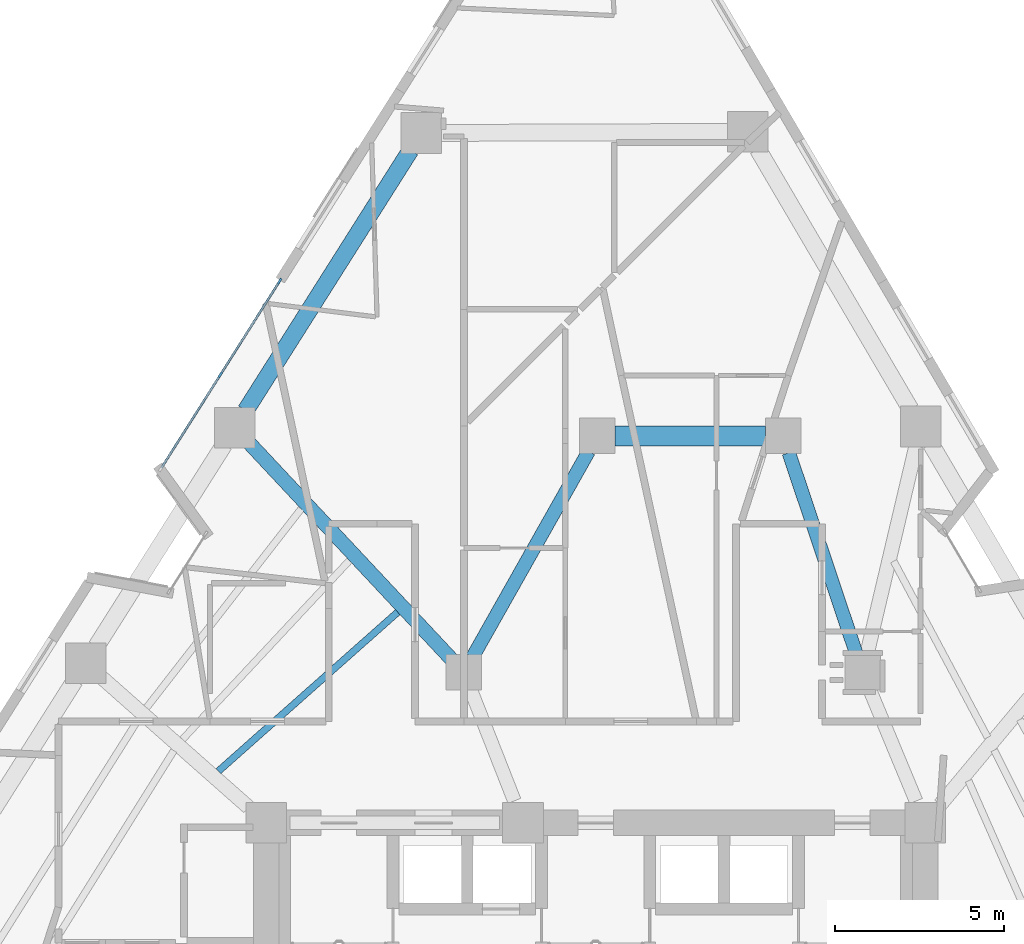
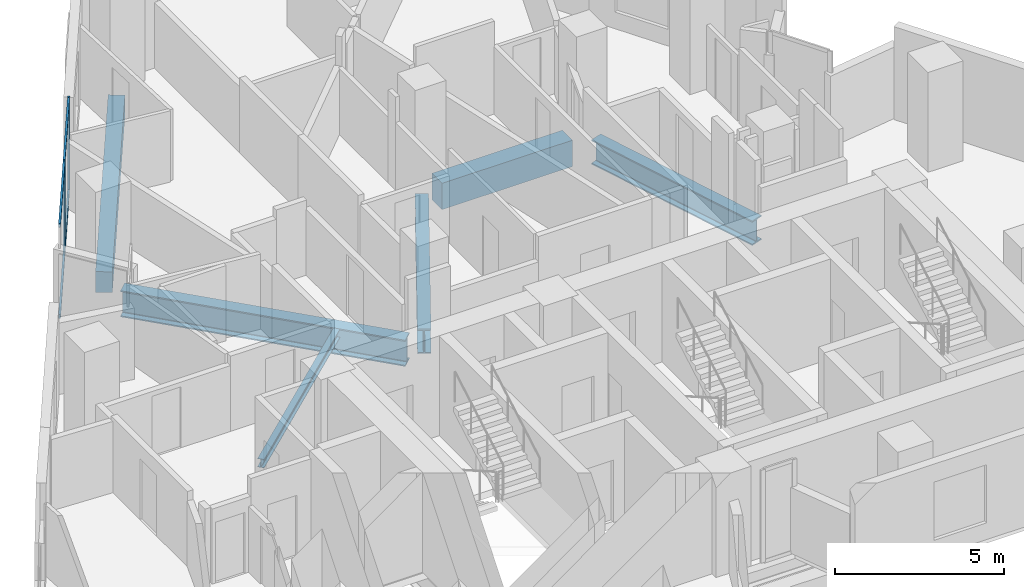
# One storey, part 3 of 12: 6 beams, 6 members, 1 element without a shape of its own.
"""IFC4 building model written with IfcOpenShell, lengths in metres."""

from ifc_helpers import new_model, si_unit, direction, frame, origin, origin_2d, place, context, subcontext, project, spatial, rectangle, i_section, extrude, material, layer, layer_set, material_profile, profile_set, type_object, element, aggregate, save


model = new_model("IFC4")

# Units and contexts
model_context = context("Model", 3, precision=1e-05, world=origin(), true_north=direction((0.0, 1.0)))
body_context = subcontext(model_context, "Body", "Model", "MODEL_VIEW")
ifc_project = project(units=[si_unit("LENGTHUNIT", "METRE"), si_unit("AREAUNIT", "SQUARE_METRE"), si_unit("VOLUMEUNIT", "CUBIC_METRE"), si_unit("PLANEANGLEUNIT", "RADIAN"), si_unit("MASSUNIT", "GRAM", prefix="KILO")], contexts=[model_context])

# Site, building, storey
site_placement = place(None, origin())
site = spatial("IfcSite", under=ifc_project, at=site_placement, CompositionType="ELEMENT")
building_placement = place(site_placement, origin())
building = spatial("IfcBuilding", under=site, at=building_placement, Name="Almagre Mirador Tower", CompositionType="ELEMENT")
storey_placement = place(building_placement, frame((0.0, 0.0, 110.39990234375)))
storey = spatial("IfcBuildingStorey", under=building, at=storey_placement, Name="L27", CompositionType="ELEMENT", Elevation=110.39990234375)

# Beams
ifc_material_1 = material(Name="Steel ASTM A992 Grade 50", Category="steel")
ifc_material_profile_1 = material_profile(ifc_material_1, i_section(OverallWidth=0.205078125, OverallDepth=0.31005859375, WebThickness=0.009521484375, FlangeThickness=0.016357421875, FilletRadius=0.013916015625, at=origin_2d()), Name="W12X50")
ifc_profile_set_1 = profile_set([ifc_material_profile_1], Name="Steel ASTM A992 Grade 50")
beam_type_1 = type_object("IfcBeamType", Name="BM-JST-W12X50", PredefinedType="JOIST", material=ifc_profile_set_1)
beam_1_placement = place(storey_placement, frame((31.44091796875, 20.98486328125, -0.40478515625), z_axis=(-0.748231189393, -0.663438080924, 0.0), x_axis=(0.663438080924, -0.748231189393, 0.0)))
element("IfcBeam", 1, at=beam_1_placement, inside=storey, type_object=beam_type_1, Name="L27 secondary floor joist PC10-PC11.3", PredefinedType="JOIST", context=body_context, shape_type="SweptSolid", body=[
    extrude(i_section(OverallWidth=0.205078125, OverallDepth=0.31005859375, WebThickness=0.009521484375, FlangeThickness=0.016357421875, FilletRadius=0.013916015625, at=origin_2d()), origin(), (0.0, 0.0, 1.0), 7.091552734375),
])
ifc_material_2 = material(Name="Concrete C60/75", Category="concrete")
ifc_material_profile_2 = material_profile(ifc_material_2, rectangle(XDim=0.60009765625, YDim=0.949951171875, at=origin_2d()), Name="RC600X950")
ifc_profile_set_2 = profile_set([ifc_material_profile_2], Name="Concrete C60/75")
beam_type_2 = type_object("IfcBeamType", Name="BM-LIN-RC600X950", PredefinedType="LINTEL", material=ifc_profile_set_2)
beam_2_placement = place(storey_placement, frame((37.875, 26.199951171875, -0.724853515625), z_axis=(1.0, 0.0, 0.0), x_axis=(0.0, 1.0, 0.0)))
element("IfcBeam", 2, at=beam_2_placement, inside=storey, type_object=beam_type_2, Name="L27 coupled header lintel LN-01", PredefinedType="LINTEL", context=body_context, shape_type="SweptSolid", body=[
    extrude(rectangle(XDim=0.60009765625, YDim=0.949951171875, at=origin_2d()), origin(), (0.0, 0.0, 1.0), 4.449951171875),
])
ifc_material_3 = material(Name="Precast concrete C50/60", Category="concrete")
ifc_material_profile_3 = material_profile(ifc_material_3, rectangle(XDim=0.5, YDim=0.75, at=origin_2d()), Name="RC500X750")
ifc_profile_set_3 = profile_set([ifc_material_profile_3], Name="Precast concrete C50/60")
beam_type_3 = type_object("IfcBeamType", Name="BM-SPN-RC500X750", PredefinedType="SPANDREL", material=ifc_profile_set_3)
beam_3_placement = place(storey_placement, frame((31.821044921875, 34.658935546875, -0.625), z_axis=(-0.534869929659, -0.844934410677, 0.0), x_axis=(0.844934410677, -0.534869929659, 0.0)))
element("IfcBeam", 3, at=beam_3_placement, inside=storey, type_object=beam_type_3, Name="L27 perimeter spandrel beam PC09-PC10", PredefinedType="SPANDREL", context=body_context, shape_type="SweptSolid", body=[
    extrude(rectangle(XDim=0.5, YDim=0.75, at=origin_2d()), origin(), (0.0, 0.0, 1.0), 9.120361328125),
])
ifc_material_4 = material(Name="Steel ASTM A992 Grade 50", Category="steel")
ifc_material_profile_4 = material_profile(ifc_material_4, i_section(OverallWidth=0.404052734375, OverallDepth=0.884033203125, WebThickness=0.0244140625, FlangeThickness=0.0439453125, FilletRadius=0.02490234375, at=origin_2d()), Name="W33X291")
ifc_profile_set_4 = profile_set([ifc_material_profile_4], Name="Steel ASTM A992 Grade 50")
beam_type_4 = type_object("IfcBeamType", Name="BM-STL-W33X291", PredefinedType="BEAM", material=ifc_profile_set_4)
beam_4_placement = place(storey_placement, frame((43.01708984375, 25.702392578125, -0.69189453125), z_axis=(0.318262189587, -0.948002731367, 0.0), x_axis=(0.948002731367, 0.318262189587, 0.0)))
element("IfcBeam", 4, at=beam_4_placement, inside=storey, type_object=beam_type_4, Name="L27 core tie girder MC6-MC5", PredefinedType="BEAM", context=body_context, shape_type="SweptSolid", body=[
    extrude(i_section(OverallWidth=0.404052734375, OverallDepth=0.884033203125, WebThickness=0.0244140625, FlangeThickness=0.0439453125, FilletRadius=0.02490234375, at=origin_2d()), origin(), (0.0, 0.0, 1.0), 6.333984375),
])
beam_5_placement = place(storey_placement, frame((37.092041015625, 25.742919921875, -0.69189453125), z_axis=(-0.491443510044, -0.870909453638, 0.0), x_axis=(0.870909453638, -0.491443510044, 0.0)))
element("IfcBeam", 5, at=beam_5_placement, inside=storey, type_object=beam_type_4, Name="L27 core tie girder MC7-MC8", PredefinedType="BEAM", context=body_context, shape_type="SweptSolid", body=[
    extrude(i_section(OverallWidth=0.404052734375, OverallDepth=0.884033203125, WebThickness=0.0244140625, FlangeThickness=0.0439453125, FilletRadius=0.02490234375, at=origin_2d()), origin(), (0.0, 0.0, 1.0), 6.98779296875),
])
ifc_material_5 = material(Name="Steel ASTM A992 Grade 50", Category="steel")
ifc_material_profile_5 = material_profile(ifc_material_5, i_section(OverallWidth=0.423095703125, OverallDepth=0.947998046875, WebThickness=0.02392578125, FlangeThickness=0.042724609375, FilletRadius=0.028076171875, at=origin_2d()), Name="W36X302")
ifc_profile_set_5 = profile_set([ifc_material_profile_5], Name="Steel ASTM A992 Grade 50")
beam_type_5 = type_object("IfcBeamType", Name="BM-STL-W36X302", PredefinedType="BEAM", material=ifc_profile_set_5)
beam_6_placement = place(storey_placement, frame((27.031982421875, 26.0078125, -0.723876953125), z_axis=(0.683137553651, -0.73028972524, 0.0), x_axis=(0.73028972524, 0.683137553651, 0.0)))
element("IfcBeam", 6, at=beam_6_placement, inside=storey, type_object=beam_type_5, Name="L27 radial floor girder PC10-MC8", PredefinedType="BEAM", context=body_context, shape_type="SweptSolid", body=[
    extrude(i_section(OverallWidth=0.423095703125, OverallDepth=0.947998046875, WebThickness=0.02392578125, FlangeThickness=0.042724609375, FilletRadius=0.028076171875, at=origin_2d()), origin(), (0.0, 0.0, 1.0), 8.796875),
])

# Curtain wall, members
ifc_material_6 = material(Name="Black anodized aluminium", Category="aluminium")
ifc_layer = layer(ifc_material_6, 0.199951171875)
ifc_layer_set = layer_set([ifc_layer], Name="Black anodized aluminium")
curtain_wall_type = type_object("IfcCurtainWallType", Name="CW-RES-H-SYS", PredefinedType="NOTDEFINED", material=ifc_layer_set)
curtain_wall_placement = place(storey_placement, origin())
curtain_wall = element("IfcCurtainWall", 7, at=curtain_wall_placement, inside=storey, type_object=curtain_wall_type, Name="L27 curtain wall run 02", PredefinedType="NOTDEFINED")
ifc_material_7 = material(Name="Black anodized aluminium", Category="aluminium")
ifc_material_profile_6 = material_profile(ifc_material_7, rectangle(XDim=0.06494140625, YDim=0.179931640625, at=origin_2d()), Name="CWM65X180")
ifc_profile_set_6 = profile_set([ifc_material_profile_6], Name="Black anodized aluminium")
member_type_1 = type_object("IfcMemberType", Name="MBR-CWM65X180", PredefinedType="MULLION", material=ifc_profile_set_6)
member_1_placement = place(storey_placement, frame((26.190185546875, 28.007568359375, 0.0), z_axis=(0.0, 0.0, 1.0), x_axis=(-0.844923540641, 0.534887100678, 0.0)))
member_1 = element("IfcMember", 8, at=member_1_placement, type_object=member_type_1, Name="CW-3 mullion 2", PredefinedType="MULLION", context=body_context, shape_type="SweptSolid", body=[
    extrude(rectangle(XDim=0.06494140625, YDim=0.179931640625, at=origin_2d()), origin(), (0.0, 0.0, 1.0), 3.35009765625),
])
member_2_placement = place(storey_placement, frame((27.947021484375, 30.782470703125, 0.0), z_axis=(0.0, 0.0, 1.0), x_axis=(-0.844923540641, 0.534887100678, 0.0)))
member_2 = element("IfcMember", 9, at=member_2_placement, type_object=member_type_1, Name="CW-3 mullion 3", PredefinedType="MULLION", context=body_context, shape_type="SweptSolid", body=[
    extrude(rectangle(XDim=0.06494140625, YDim=0.179931640625, at=origin_2d()), origin(), (0.0, 0.0, 1.0), 3.35009765625),
])
ifc_material_8 = material(Name="Black anodized aluminium", Category="aluminium")
ifc_material_profile_7 = material_profile(ifc_material_8, rectangle(XDim=0.06494140625, YDim=0.14990234375, at=origin_2d()), Name="CWT65X150")
ifc_profile_set_7 = profile_set([ifc_material_profile_7], Name="Black anodized aluminium")
member_type_2 = type_object("IfcMemberType", Name="MBR-CWT65X150", PredefinedType="USERDEFINED", material=ifc_profile_set_7)
member_3_placement = place(storey_placement, frame((24.45068359375, 25.260009765625, 0.03271484375), z_axis=(0.534945630196, 0.844886485117, 0.0), x_axis=(-0.844886485117, 0.534945630196, 0.0)))
member_3 = element("IfcMember", 10, at=member_3_placement, type_object=member_type_2, Name="CW-3 transom 1.1", ObjectType="TRANSOM", PredefinedType="USERDEFINED", context=body_context, shape_type="SweptSolid", body=[
    extrude(rectangle(XDim=0.06494140625, YDim=0.14990234375, at=origin_2d()), origin(), (0.0, 0.0, 1.0), 3.21923828125),
])
member_4_placement = place(storey_placement, frame((24.45068359375, 25.260009765625, 3.317626953125), z_axis=(0.534945630196, 0.844886485117, 0.0), x_axis=(-0.844886485117, 0.534945630196, 0.0)))
member_4 = element("IfcMember", 11, at=member_4_placement, type_object=member_type_2, Name="CW-3 transom 1.2", ObjectType="TRANSOM", PredefinedType="USERDEFINED", context=body_context, shape_type="SweptSolid", body=[
    extrude(rectangle(XDim=0.06494140625, YDim=0.14990234375, at=origin_2d()), origin(), (0.0, 0.0, 1.0), 3.21923828125),
])
member_5_placement = place(storey_placement, frame((26.20751953125, 28.034912109375, 0.03271484375), z_axis=(0.534857219873, 0.844942456236, 0.0), x_axis=(-0.844942456236, 0.534857219873, 0.0)))
member_5 = element("IfcMember", 12, at=member_5_placement, type_object=member_type_2, Name="CW-3 transom 2.1", ObjectType="TRANSOM", PredefinedType="USERDEFINED", context=body_context, shape_type="SweptSolid", body=[
    extrude(rectangle(XDim=0.06494140625, YDim=0.14990234375, at=origin_2d()), origin(), (0.0, 0.0, 1.0), 3.219482421875),
])
member_6_placement = place(storey_placement, frame((26.20751953125, 28.034912109375, 3.317626953125), z_axis=(0.534857219873, 0.844942456236, 0.0), x_axis=(-0.844942456236, 0.534857219873, 0.0)))
member_6 = element("IfcMember", 13, at=member_6_placement, type_object=member_type_2, Name="CW-3 transom 2.2", ObjectType="TRANSOM", PredefinedType="USERDEFINED", context=body_context, shape_type="SweptSolid", body=[
    extrude(rectangle(XDim=0.06494140625, YDim=0.14990234375, at=origin_2d()), origin(), (0.0, 0.0, 1.0), 3.219482421875),
])
aggregate(curtain_wall, [member_1, member_2, member_3, member_4, member_5, member_6])

save(model, "model.ifc")
